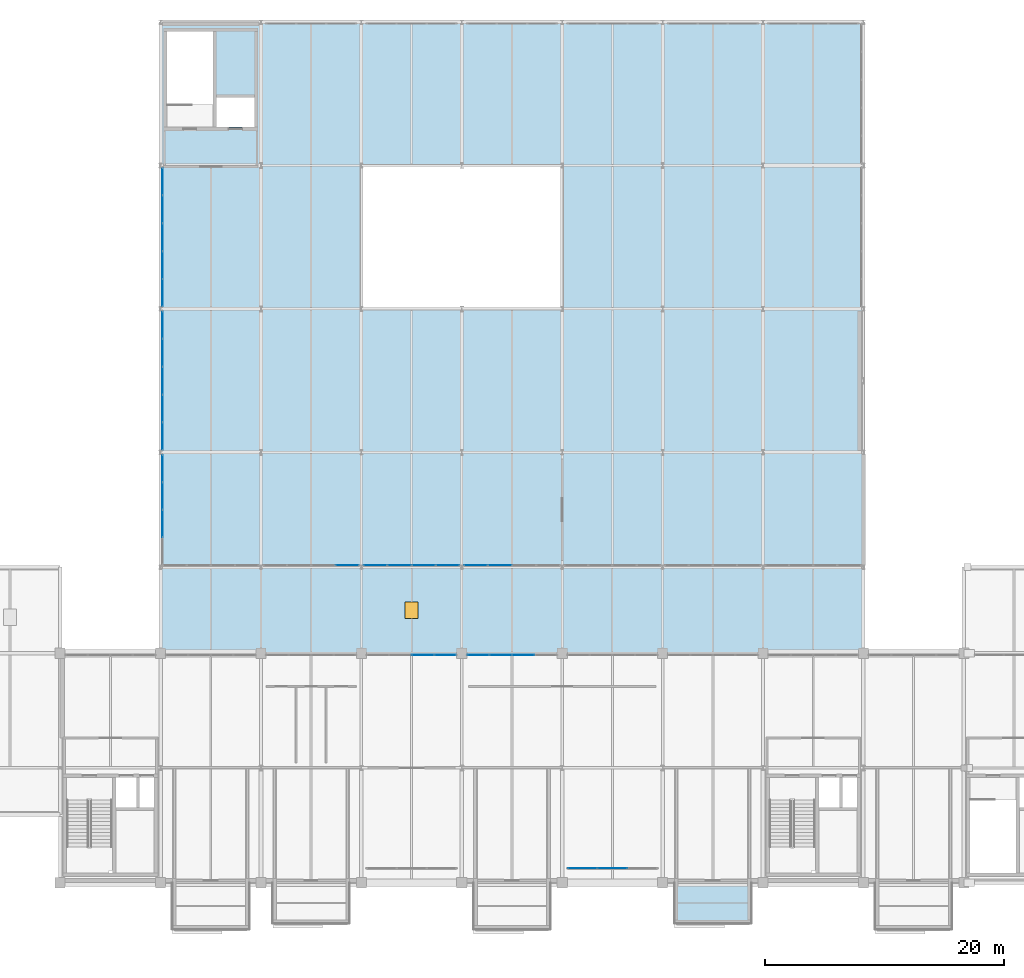
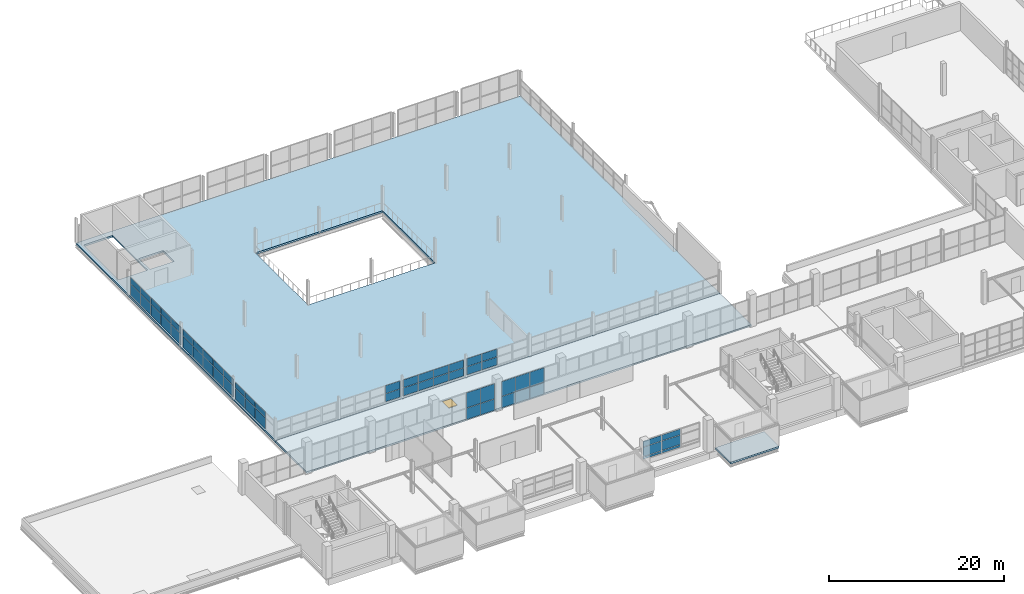
# One storey, part 85 of 103: 56 plates, 3 slabs, 1 door, 1 opening, 9 elements without a shape of their own.
"""IFC4 building model written with IfcOpenShell, lengths in metres."""

from ifc_helpers import new_model, si_unit, direction, frame, origin, origin_2d, place, context, subcontext, project, spatial, polyline, rectangle, outline, extrude, material, layer, layer_set, type_object, element, fill, aggregate, save


model = new_model("IFC4")

# Units and contexts
model_context = context("Model", 3, precision=1e-05, world=origin(), true_north=direction((0.0, 1.0)))
body_context = subcontext(model_context, "Body", "Model", "MODEL_VIEW")
ifc_project = project(units=[si_unit("LENGTHUNIT", "METRE"), si_unit("AREAUNIT", "SQUARE_METRE"), si_unit("VOLUMEUNIT", "CUBIC_METRE"), si_unit("PLANEANGLEUNIT", "RADIAN"), si_unit("MASSUNIT", "GRAM", prefix="KILO")], contexts=[model_context])

# Site, building, storey
site_placement = place(None, origin())
site = spatial("IfcSite", under=ifc_project, at=site_placement, CompositionType="ELEMENT")
building_placement = place(site_placement, origin())
building = spatial("IfcBuilding", under=site, at=building_placement, Name="Veltarok Museum of Natural Sciences", CompositionType="ELEMENT")
storey_placement = place(building_placement, frame((0.0, 0.0, 21.89990234375)))
storey = spatial("IfcBuildingStorey", under=building, at=storey_placement, Name="L04", CompositionType="ELEMENT", Elevation=21.89990234375)

# Slab, opening, door
ifc_material_1 = material(Name="Concrete C35/45", Category="concrete")
ifc_layer_1 = layer(ifc_material_1, 0.239990234375)
ifc_layer_set_1 = layer_set([ifc_layer_1], Name="Concrete C35/45")
slab_type_1 = type_object("IfcSlabType", Name="Insulated Flat Wing Roof Slab 240", PredefinedType="ROOF", material=ifc_layer_set_1)
slab_1_placement = place(storey_placement, frame((0.0, 0.0, -0.239990234375)))
slab_1 = element("IfcSlab", 1, at=slab_1_placement, inside=storey, type_object=slab_type_1, Name="Flat Wing Roof Slab RF-V2S", PredefinedType="ROOF", context=body_context, shape_type="SweptSolid", body=[
    extrude(outline(polyline([(40.0, 19.199951171875), (40.0, 26.3798828125), (98.800048828125, 26.3798828125), (98.800048828125, 19.199951171875), (40.0, 19.199951171875)])), origin(), (0.0, 0.0, 1.0), 0.239990234375),
])
opening_placement = place(slab_1_placement, frame((61.0, 22.800048828125, -0.010009765625)))
opening = element("IfcOpeningElement", 2, at=opening_placement, cuts=slab_1, Name="Opening HT-03", PredefinedType="OPENING", context=body_context, shape_type="SweptSolid", body=[
    extrude(rectangle(XDim=1.10009765625, YDim=1.39990234375, at=origin_2d()), origin(), (0.0, 0.0, 1.0), 0.320068359375),
])
ifc_material_2 = material(Name="Insulated aluminium curb hatch", Category="aluminium")
door_type = type_object("IfcDoorType", Name="Insulated Roof Maintenance Access Hatch 1100x1400", OperationType="SINGLE_SWING_LEFT", PredefinedType="TRAPDOOR", material=ifc_material_2)
door_placement = place(slab_1_placement, frame((61.0, 22.800048828125, 0.239990234375)))
door = element("IfcDoor", 3, at=door_placement, inside=storey, type_object=door_type, Name="Roof Maintenance Access Hatch HT-03", OperationType="SINGLE_SWING_LEFT", OverallHeight=1.39990234375, OverallWidth=1.10009765625, PredefinedType="TRAPDOOR", context=body_context, shape_type="SweptSolid", body=[
    extrude(rectangle(XDim=1.10009765625, YDim=1.39990234375, at=origin_2d()), origin(), (0.0, 0.0, 1.0), 0.06005859375),
])
fill(opening, door)

# Slabs
ifc_layer_2 = layer(ifc_material_1, 0.25)
ifc_layer_set_2 = layer_set([ifc_layer_2], Name="Concrete C35/45")
slab_type_2 = type_object("IfcSlabType", Name="Suspended Museum Floor Slab 250", PredefinedType="FLOOR", material=ifc_layer_set_2)
slab_2_placement = place(storey_placement, frame((0.0, 0.0, -0.25)))
element("IfcSlab", 4, at=slab_2_placement, inside=storey, type_object=slab_type_2, Name="Floor Slab L04 V2", PredefinedType="FLOOR", context=body_context, shape_type="SweptSolid", body=[
    extrude(outline(polyline([(40.0, 26.39990234375), (40.0, 72.0), (98.800048828125, 72.0), (98.800048828125, 26.39990234375), (40.0, 26.39990234375)]), holes=[polyline([(73.60009765625, 60.0), (56.800048828125, 60.0), (56.800048828125, 48.0), (73.60009765625, 48.0), (73.60009765625, 60.0)]), polyline([(47.8701171875, 65.699951171875), (44.669921875, 65.699951171875), (44.669921875, 63.199951171875), (47.8701171875, 63.199951171875), (47.8701171875, 65.699951171875)]), polyline([(44.3701171875, 71.199951171875), (40.530029296875, 71.199951171875), (40.530029296875, 63.199951171875), (44.3701171875, 63.199951171875), (44.3701171875, 71.199951171875)])]), origin(), (0.0, 0.0, 1.0), 0.25),
])
slab_3_placement = place(storey_placement, frame((0.0, 0.0, -0.25)))
element("IfcSlab", 5, at=slab_3_placement, inside=storey, type_object=slab_type_2, Name="Cabinet Box Floor Slab DB-22", PredefinedType="FLOOR", context=body_context, shape_type="SweptSolid", body=[
    extrude(outline(polyline([(83.0, -3.39990234375), (89.39990234375, -3.39990234375), (89.39990234375, 0.0), (83.0, 0.0), (83.0, -3.39990234375)])), origin(), (0.0, 0.0, 1.0), 0.25),
])

# Curtain wall, plates
ifc_material_3 = material(Name="Low-iron triple insulated glass", Category="glass")
curtain_wall_type_1 = type_object("IfcCurtainWallType", Name="Curtain Wall System CW-CAB-L04-B-755x266 (V1 Recessed L04 755x266cm)", PredefinedType="NOTDEFINED", material=ifc_material_3)
curtain_wall_1_placement = place(storey_placement, origin())
curtain_wall_1 = element("IfcCurtainWall", 6, at=curtain_wall_1_placement, inside=storey, type_object=curtain_wall_type_1, Name="Curtain Wall CW-CAB-L04-B-755x266 CW-0008", PredefinedType="NOTDEFINED")
ifc_layer_3 = layer(ifc_material_3, 0.028076171875)
ifc_layer_set_3 = layer_set([ifc_layer_3], Name="Low-iron triple insulated glass")
plate_type = type_object("IfcPlateType", Name="Triple Low-Iron Glazed Vision Panel 28", PredefinedType="CURTAIN_PANEL", material=ifc_layer_set_3)
plate_1_placement = place(storey_placement, frame((75.29833984375, 1.199951171875, 0.739990234375), z_axis=(0.0, 0.0, 1.0), x_axis=(1.0, 0.0, 0.0)))
plate_1 = element("IfcPlate", 7, at=plate_1_placement, type_object=plate_type, Name="CW-CAB-L04-B-755x266 panel 1.1", PredefinedType="CURTAIN_PANEL", context=body_context, shape_type="SweptSolid", body=[
    extrude(rectangle(XDim=2.4267578125, YDim=0.028076171875, at=origin_2d()), origin(), (0.0, 0.0, 1.0), 0.330078125),
])
plate_2_placement = place(storey_placement, frame((75.29833984375, 1.199951171875, 1.130126953125), z_axis=(0.0, 0.0, 1.0), x_axis=(1.0, 0.0, 0.0)))
plate_2 = element("IfcPlate", 8, at=plate_2_placement, type_object=plate_type, Name="CW-CAB-L04-B-755x266 panel 1.2", PredefinedType="CURTAIN_PANEL", context=body_context, shape_type="SweptSolid", body=[
    extrude(rectangle(XDim=2.4267578125, YDim=0.028076171875, at=origin_2d()), origin(), (0.0, 0.0, 1.0), 1.2900390625),
])
plate_3_placement = place(storey_placement, frame((75.29833984375, 1.199951171875, 2.480224609375), z_axis=(0.0, 0.0, 1.0), x_axis=(1.0, 0.0, 0.0)))
plate_3 = element("IfcPlate", 9, at=plate_3_placement, type_object=plate_type, Name="CW-CAB-L04-B-755x266 panel 1.3", PredefinedType="CURTAIN_PANEL", context=body_context, shape_type="SweptSolid", body=[
    extrude(rectangle(XDim=2.4267578125, YDim=0.028076171875, at=origin_2d()), origin(), (0.0, 0.0, 1.0), 0.794921875),
])
plate_4_placement = place(storey_placement, frame((77.800048828125, 1.199951171875, 0.739990234375), z_axis=(0.0, 0.0, 1.0), x_axis=(1.0, 0.0, 0.0)))
plate_4 = element("IfcPlate", 10, at=plate_4_placement, type_object=plate_type, Name="CW-CAB-L04-B-755x266 panel 2.1", PredefinedType="CURTAIN_PANEL", context=body_context, shape_type="SweptSolid", body=[
    extrude(rectangle(XDim=2.456787109375, YDim=0.028076171875, at=origin_2d()), origin(), (0.0, 0.0, 1.0), 0.330078125),
])
plate_5_placement = place(storey_placement, frame((77.800048828125, 1.199951171875, 1.130126953125), z_axis=(0.0, 0.0, 1.0), x_axis=(1.0, 0.0, 0.0)))
plate_5 = element("IfcPlate", 11, at=plate_5_placement, type_object=plate_type, Name="CW-CAB-L04-B-755x266 panel 2.2", PredefinedType="CURTAIN_PANEL", context=body_context, shape_type="SweptSolid", body=[
    extrude(rectangle(XDim=2.456787109375, YDim=0.028076171875, at=origin_2d()), origin(), (0.0, 0.0, 1.0), 1.2900390625),
])
plate_6_placement = place(storey_placement, frame((77.800048828125, 1.199951171875, 2.480224609375), z_axis=(0.0, 0.0, 1.0), x_axis=(1.0, 0.0, 0.0)))
plate_6 = element("IfcPlate", 12, at=plate_6_placement, type_object=plate_type, Name="CW-CAB-L04-B-755x266 panel 2.3", PredefinedType="CURTAIN_PANEL", context=body_context, shape_type="SweptSolid", body=[
    extrude(rectangle(XDim=2.456787109375, YDim=0.028076171875, at=origin_2d()), origin(), (0.0, 0.0, 1.0), 0.794921875),
])
aggregate(curtain_wall_1, [plate_1, plate_2, plate_3, plate_4, plate_5, plate_6])

curtain_wall_type_2 = type_object("IfcCurtainWallType", Name="Curtain Wall System CW-V2W-L04-3-926x249 (CW-V2W L04 926x249cm)", PredefinedType="NOTDEFINED", material=ifc_material_3)
curtain_wall_2_placement = place(storey_placement, origin())
curtain_wall_2 = element("IfcCurtainWall", 13, at=curtain_wall_2_placement, inside=storey, type_object=curtain_wall_type_2, Name="Curtain Wall CW-V2W-L04-3-926x249 CW-0147", PredefinedType="NOTDEFINED")
plate_7_placement = place(storey_placement, frame((40.14990234375, 30.04248046875, 0.05810546875), z_axis=(0.0, 0.0, 1.0), x_axis=(0.0, 1.0, 0.0)))
plate_7 = element("IfcPlate", 14, at=plate_7_placement, type_object=plate_type, Name="CW-V2W-L04-3-926x249 panel 2.1", PredefinedType="CURTAIN_PANEL", context=body_context, shape_type="SweptSolid", body=[
    extrude(rectangle(XDim=2.2548828125, YDim=0.028076171875, at=origin_2d()), origin(), (0.0, 0.0, 1.0), 1.56005859375),
])
plate_8_placement = place(storey_placement, frame((40.14990234375, 30.04248046875, 1.67822265625), z_axis=(0.0, 0.0, 1.0), x_axis=(0.0, 1.0, 0.0)))
plate_8 = element("IfcPlate", 15, at=plate_8_placement, type_object=plate_type, Name="CW-V2W-L04-3-926x249 panel 2.2", PredefinedType="CURTAIN_PANEL", context=body_context, shape_type="SweptSolid", body=[
    extrude(rectangle(XDim=2.2548828125, YDim=0.028076171875, at=origin_2d()), origin(), (0.0, 0.0, 1.0), 0.751953125),
])
plate_9_placement = place(storey_placement, frame((40.14990234375, 32.357421875, 0.05810546875), z_axis=(0.0, 0.0, 1.0), x_axis=(0.0, 1.0, 0.0)))
plate_9 = element("IfcPlate", 16, at=plate_9_placement, type_object=plate_type, Name="CW-V2W-L04-3-926x249 panel 3.1", PredefinedType="CURTAIN_PANEL", context=body_context, shape_type="SweptSolid", body=[
    extrude(rectangle(XDim=2.2548828125, YDim=0.028076171875, at=origin_2d()), origin(), (0.0, 0.0, 1.0), 1.56005859375),
])
plate_10_placement = place(storey_placement, frame((40.14990234375, 32.357421875, 1.67822265625), z_axis=(0.0, 0.0, 1.0), x_axis=(0.0, 1.0, 0.0)))
plate_10 = element("IfcPlate", 17, at=plate_10_placement, type_object=plate_type, Name="CW-V2W-L04-3-926x249 panel 3.2", PredefinedType="CURTAIN_PANEL", context=body_context, shape_type="SweptSolid", body=[
    extrude(rectangle(XDim=2.2548828125, YDim=0.028076171875, at=origin_2d()), origin(), (0.0, 0.0, 1.0), 0.751953125),
])
plate_11_placement = place(storey_placement, frame((40.14990234375, 34.657470703125, 0.05810546875), z_axis=(0.0, 0.0, 1.0), x_axis=(0.0, 1.0, 0.0)))
plate_11 = element("IfcPlate", 18, at=plate_11_placement, type_object=plate_type, Name="CW-V2W-L04-3-926x249 panel 4.1", PredefinedType="CURTAIN_PANEL", context=body_context, shape_type="SweptSolid", body=[
    extrude(rectangle(XDim=2.22509765625, YDim=0.028076171875, at=origin_2d()), origin(), (0.0, 0.0, 1.0), 1.56005859375),
])
plate_12_placement = place(storey_placement, frame((40.14990234375, 34.657470703125, 1.67822265625), z_axis=(0.0, 0.0, 1.0), x_axis=(0.0, 1.0, 0.0)))
plate_12 = element("IfcPlate", 19, at=plate_12_placement, type_object=plate_type, Name="CW-V2W-L04-3-926x249 panel 4.2", PredefinedType="CURTAIN_PANEL", context=body_context, shape_type="SweptSolid", body=[
    extrude(rectangle(XDim=2.22509765625, YDim=0.028076171875, at=origin_2d()), origin(), (0.0, 0.0, 1.0), 0.751953125),
])
aggregate(curtain_wall_2, [plate_7, plate_8, plate_9, plate_10, plate_11, plate_12])

curtain_wall_type_3 = type_object("IfcCurtainWallType", Name="Curtain Wall System CW-V2W-L04-0-1166x264 (CW-V2W L04 1166x264cm)", PredefinedType="NOTDEFINED", material=ifc_material_3)
curtain_wall_3_placement = place(storey_placement, origin())
curtain_wall_3 = element("IfcCurtainWall", 20, at=curtain_wall_3_placement, inside=storey, type_object=curtain_wall_type_3, Name="Curtain Wall CW-V2W-L04-0-1166x264 CW-0148", PredefinedType="NOTDEFINED")
plate_13_placement = place(storey_placement, frame((40.14990234375, 37.35107421875, 0.05810546875), z_axis=(0.0, 0.0, 1.0), x_axis=(0.0, 1.0, 0.0)))
plate_13 = element("IfcPlate", 21, at=plate_13_placement, type_object=plate_type, Name="CW-V2W-L04-0-1166x264 panel 1.1", PredefinedType="CURTAIN_PANEL", context=body_context, shape_type="SweptSolid", body=[
    extrude(rectangle(XDim=2.241943359375, YDim=0.028076171875, at=origin_2d()), origin(), (0.0, 0.0, 1.0), 1.56005859375),
])
plate_14_placement = place(storey_placement, frame((40.14990234375, 37.35107421875, 1.67822265625), z_axis=(0.0, 0.0, 1.0), x_axis=(0.0, 1.0, 0.0)))
plate_14 = element("IfcPlate", 22, at=plate_14_placement, type_object=plate_type, Name="CW-V2W-L04-0-1166x264 panel 1.2", PredefinedType="CURTAIN_PANEL", context=body_context, shape_type="SweptSolid", body=[
    extrude(rectangle(XDim=2.241943359375, YDim=0.028076171875, at=origin_2d()), origin(), (0.0, 0.0, 1.0), 0.902099609375),
])
plate_15_placement = place(storey_placement, frame((40.14990234375, 39.66796875, 0.05810546875), z_axis=(0.0, 0.0, 1.0), x_axis=(0.0, 1.0, 0.0)))
plate_15 = element("IfcPlate", 23, at=plate_15_placement, type_object=plate_type, Name="CW-V2W-L04-0-1166x264 panel 2.1", PredefinedType="CURTAIN_PANEL", context=body_context, shape_type="SweptSolid", body=[
    extrude(rectangle(XDim=2.27197265625, YDim=0.028076171875, at=origin_2d()), origin(), (0.0, 0.0, 1.0), 1.56005859375),
])
plate_16_placement = place(storey_placement, frame((40.14990234375, 39.66796875, 1.67822265625), z_axis=(0.0, 0.0, 1.0), x_axis=(0.0, 1.0, 0.0)))
plate_16 = element("IfcPlate", 24, at=plate_16_placement, type_object=plate_type, Name="CW-V2W-L04-0-1166x264 panel 2.2", PredefinedType="CURTAIN_PANEL", context=body_context, shape_type="SweptSolid", body=[
    extrude(rectangle(XDim=2.27197265625, YDim=0.028076171875, at=origin_2d()), origin(), (0.0, 0.0, 1.0), 0.902099609375),
])
plate_17_placement = place(storey_placement, frame((40.14990234375, 42.0, 0.05810546875), z_axis=(0.0, 0.0, 1.0), x_axis=(0.0, 1.0, 0.0)))
plate_17 = element("IfcPlate", 25, at=plate_17_placement, type_object=plate_type, Name="CW-V2W-L04-0-1166x264 panel 3.1", PredefinedType="CURTAIN_PANEL", context=body_context, shape_type="SweptSolid", body=[
    extrude(rectangle(XDim=2.27197265625, YDim=0.028076171875, at=origin_2d()), origin(), (0.0, 0.0, 1.0), 1.56005859375),
])
plate_18_placement = place(storey_placement, frame((40.14990234375, 42.0, 1.67822265625), z_axis=(0.0, 0.0, 1.0), x_axis=(0.0, 1.0, 0.0)))
plate_18 = element("IfcPlate", 26, at=plate_18_placement, type_object=plate_type, Name="CW-V2W-L04-0-1166x264 panel 3.2", PredefinedType="CURTAIN_PANEL", context=body_context, shape_type="SweptSolid", body=[
    extrude(rectangle(XDim=2.27197265625, YDim=0.028076171875, at=origin_2d()), origin(), (0.0, 0.0, 1.0), 0.902099609375),
])
plate_19_placement = place(storey_placement, frame((40.14990234375, 44.33203125, 0.05810546875), z_axis=(0.0, 0.0, 1.0), x_axis=(0.0, 1.0, 0.0)))
plate_19 = element("IfcPlate", 27, at=plate_19_placement, type_object=plate_type, Name="CW-V2W-L04-0-1166x264 panel 4.1", PredefinedType="CURTAIN_PANEL", context=body_context, shape_type="SweptSolid", body=[
    extrude(rectangle(XDim=2.27197265625, YDim=0.028076171875, at=origin_2d()), origin(), (0.0, 0.0, 1.0), 1.56005859375),
])
plate_20_placement = place(storey_placement, frame((40.14990234375, 44.33203125, 1.67822265625), z_axis=(0.0, 0.0, 1.0), x_axis=(0.0, 1.0, 0.0)))
plate_20 = element("IfcPlate", 28, at=plate_20_placement, type_object=plate_type, Name="CW-V2W-L04-0-1166x264 panel 4.2", PredefinedType="CURTAIN_PANEL", context=body_context, shape_type="SweptSolid", body=[
    extrude(rectangle(XDim=2.27197265625, YDim=0.028076171875, at=origin_2d()), origin(), (0.0, 0.0, 1.0), 0.902099609375),
])
plate_21_placement = place(storey_placement, frame((40.14990234375, 46.64892578125, 0.05810546875), z_axis=(0.0, 0.0, 1.0), x_axis=(0.0, 1.0, 0.0)))
plate_21 = element("IfcPlate", 29, at=plate_21_placement, type_object=plate_type, Name="CW-V2W-L04-0-1166x264 panel 5.1", PredefinedType="CURTAIN_PANEL", context=body_context, shape_type="SweptSolid", body=[
    extrude(rectangle(XDim=2.241943359375, YDim=0.028076171875, at=origin_2d()), origin(), (0.0, 0.0, 1.0), 1.56005859375),
])
plate_22_placement = place(storey_placement, frame((40.14990234375, 46.64892578125, 1.67822265625), z_axis=(0.0, 0.0, 1.0), x_axis=(0.0, 1.0, 0.0)))
plate_22 = element("IfcPlate", 30, at=plate_22_placement, type_object=plate_type, Name="CW-V2W-L04-0-1166x264 panel 5.2", PredefinedType="CURTAIN_PANEL", context=body_context, shape_type="SweptSolid", body=[
    extrude(rectangle(XDim=2.241943359375, YDim=0.028076171875, at=origin_2d()), origin(), (0.0, 0.0, 1.0), 0.902099609375),
])
aggregate(curtain_wall_3, [plate_13, plate_14, plate_15, plate_16, plate_17, plate_18, plate_19, plate_20, plate_21, plate_22])

curtain_wall_type_4 = type_object("IfcCurtainWallType", Name="Curtain Wall System CW-V2W-L04-1-1166x259 (CW-V2W L04 1166x259cm)", PredefinedType="NOTDEFINED", material=ifc_material_3)
curtain_wall_4_placement = place(storey_placement, origin())
curtain_wall_4 = element("IfcCurtainWall", 31, at=curtain_wall_4_placement, inside=storey, type_object=curtain_wall_type_4, Name="Curtain Wall CW-V2W-L04-1-1166x259 CW-0149", PredefinedType="NOTDEFINED")
plate_23_placement = place(storey_placement, frame((40.14990234375, 49.35107421875, 0.05810546875), z_axis=(0.0, 0.0, 1.0), x_axis=(0.0, 1.0, 0.0)))
plate_23 = element("IfcPlate", 32, at=plate_23_placement, type_object=plate_type, Name="CW-V2W-L04-1-1166x259 panel 1.1", PredefinedType="CURTAIN_PANEL", context=body_context, shape_type="SweptSolid", body=[
    extrude(rectangle(XDim=2.241943359375, YDim=0.028076171875, at=origin_2d()), origin(), (0.0, 0.0, 1.0), 1.56005859375),
])
plate_24_placement = place(storey_placement, frame((40.14990234375, 49.35107421875, 1.677978515625), z_axis=(0.0, 0.0, 1.0), x_axis=(0.0, 1.0, 0.0)))
plate_24 = element("IfcPlate", 33, at=plate_24_placement, type_object=plate_type, Name="CW-V2W-L04-1-1166x259 panel 1.2", PredefinedType="CURTAIN_PANEL", context=body_context, shape_type="SweptSolid", body=[
    extrude(rectangle(XDim=2.241943359375, YDim=0.028076171875, at=origin_2d()), origin(), (0.0, 0.0, 1.0), 0.85205078125),
])
plate_25_placement = place(storey_placement, frame((40.14990234375, 51.66796875, 0.05810546875), z_axis=(0.0, 0.0, 1.0), x_axis=(0.0, 1.0, 0.0)))
plate_25 = element("IfcPlate", 34, at=plate_25_placement, type_object=plate_type, Name="CW-V2W-L04-1-1166x259 panel 2.1", PredefinedType="CURTAIN_PANEL", context=body_context, shape_type="SweptSolid", body=[
    extrude(rectangle(XDim=2.27197265625, YDim=0.028076171875, at=origin_2d()), origin(), (0.0, 0.0, 1.0), 1.56005859375),
])
plate_26_placement = place(storey_placement, frame((40.14990234375, 51.66796875, 1.677978515625), z_axis=(0.0, 0.0, 1.0), x_axis=(0.0, 1.0, 0.0)))
plate_26 = element("IfcPlate", 35, at=plate_26_placement, type_object=plate_type, Name="CW-V2W-L04-1-1166x259 panel 2.2", PredefinedType="CURTAIN_PANEL", context=body_context, shape_type="SweptSolid", body=[
    extrude(rectangle(XDim=2.27197265625, YDim=0.028076171875, at=origin_2d()), origin(), (0.0, 0.0, 1.0), 0.85205078125),
])
plate_27_placement = place(storey_placement, frame((40.14990234375, 54.0, 0.05810546875), z_axis=(0.0, 0.0, 1.0), x_axis=(0.0, 1.0, 0.0)))
plate_27 = element("IfcPlate", 36, at=plate_27_placement, type_object=plate_type, Name="CW-V2W-L04-1-1166x259 panel 3.1", PredefinedType="CURTAIN_PANEL", context=body_context, shape_type="SweptSolid", body=[
    extrude(rectangle(XDim=2.27197265625, YDim=0.028076171875, at=origin_2d()), origin(), (0.0, 0.0, 1.0), 1.56005859375),
])
plate_28_placement = place(storey_placement, frame((40.14990234375, 54.0, 1.677978515625), z_axis=(0.0, 0.0, 1.0), x_axis=(0.0, 1.0, 0.0)))
plate_28 = element("IfcPlate", 37, at=plate_28_placement, type_object=plate_type, Name="CW-V2W-L04-1-1166x259 panel 3.2", PredefinedType="CURTAIN_PANEL", context=body_context, shape_type="SweptSolid", body=[
    extrude(rectangle(XDim=2.27197265625, YDim=0.028076171875, at=origin_2d()), origin(), (0.0, 0.0, 1.0), 0.85205078125),
])
plate_29_placement = place(storey_placement, frame((40.14990234375, 56.33203125, 0.05810546875), z_axis=(0.0, 0.0, 1.0), x_axis=(0.0, 1.0, 0.0)))
plate_29 = element("IfcPlate", 38, at=plate_29_placement, type_object=plate_type, Name="CW-V2W-L04-1-1166x259 panel 4.1", PredefinedType="CURTAIN_PANEL", context=body_context, shape_type="SweptSolid", body=[
    extrude(rectangle(XDim=2.27197265625, YDim=0.028076171875, at=origin_2d()), origin(), (0.0, 0.0, 1.0), 1.56005859375),
])
plate_30_placement = place(storey_placement, frame((40.14990234375, 56.33203125, 1.677978515625), z_axis=(0.0, 0.0, 1.0), x_axis=(0.0, 1.0, 0.0)))
plate_30 = element("IfcPlate", 39, at=plate_30_placement, type_object=plate_type, Name="CW-V2W-L04-1-1166x259 panel 4.2", PredefinedType="CURTAIN_PANEL", context=body_context, shape_type="SweptSolid", body=[
    extrude(rectangle(XDim=2.27197265625, YDim=0.028076171875, at=origin_2d()), origin(), (0.0, 0.0, 1.0), 0.85205078125),
])
plate_31_placement = place(storey_placement, frame((40.14990234375, 58.64892578125, 0.05810546875), z_axis=(0.0, 0.0, 1.0), x_axis=(0.0, 1.0, 0.0)))
plate_31 = element("IfcPlate", 40, at=plate_31_placement, type_object=plate_type, Name="CW-V2W-L04-1-1166x259 panel 5.1", PredefinedType="CURTAIN_PANEL", context=body_context, shape_type="SweptSolid", body=[
    extrude(rectangle(XDim=2.241943359375, YDim=0.028076171875, at=origin_2d()), origin(), (0.0, 0.0, 1.0), 1.56005859375),
])
plate_32_placement = place(storey_placement, frame((40.14990234375, 58.64892578125, 1.677978515625), z_axis=(0.0, 0.0, 1.0), x_axis=(0.0, 1.0, 0.0)))
plate_32 = element("IfcPlate", 41, at=plate_32_placement, type_object=plate_type, Name="CW-V2W-L04-1-1166x259 panel 5.2", PredefinedType="CURTAIN_PANEL", context=body_context, shape_type="SweptSolid", body=[
    extrude(rectangle(XDim=2.241943359375, YDim=0.028076171875, at=origin_2d()), origin(), (0.0, 0.0, 1.0), 0.85205078125),
])
aggregate(curtain_wall_4, [plate_23, plate_24, plate_25, plate_26, plate_27, plate_28, plate_29, plate_30, plate_31, plate_32])

curtain_wall_type_5 = type_object("IfcCurtainWallType", Name="Curtain Wall System CW-V1CN4-L04-1-755x383 (CW-V1CN4 L04 755x383cm)", PredefinedType="NOTDEFINED", material=ifc_material_3)
curtain_wall_5_placement = place(storey_placement, origin())
curtain_wall_5 = element("IfcCurtainWall", 42, at=curtain_wall_5_placement, inside=storey, type_object=curtain_wall_type_5, Name="Curtain Wall CW-V1CN4-L04-1-755x383 CW-0165", PredefinedType="NOTDEFINED")
plate_33_placement = place(storey_placement, frame((63.816162109375, 19.050048828125, 0.05810546875), z_axis=(0.0, 0.0, 1.0), x_axis=(-1.0, 0.0, 0.0)))
plate_33 = element("IfcPlate", 43, at=plate_33_placement, type_object=plate_type, Name="CW-V1CN4-L04-1-755x383 panel 1.1", PredefinedType="CURTAIN_PANEL", context=body_context, shape_type="SweptSolid", body=[
    extrude(rectangle(XDim=1.797607421875, YDim=0.028076171875, at=origin_2d()), origin(), (0.0, 0.0, 1.0), 1.56005859375),
])
plate_34_placement = place(storey_placement, frame((63.816162109375, 19.050048828125, 1.67822265625), z_axis=(0.0, 0.0, 1.0), x_axis=(-1.0, 0.0, 0.0)))
plate_34 = element("IfcPlate", 44, at=plate_34_placement, type_object=plate_type, Name="CW-V1CN4-L04-1-755x383 panel 1.2", PredefinedType="CURTAIN_PANEL", context=body_context, shape_type="SweptSolid", body=[
    extrude(rectangle(XDim=1.797607421875, YDim=0.028076171875, at=origin_2d()), origin(), (0.0, 0.0, 1.0), 2.092041015625),
])
plate_35_placement = place(storey_placement, frame((61.94384765625, 19.050048828125, 0.05810546875), z_axis=(0.0, 0.0, 1.0), x_axis=(-1.0, 0.0, 0.0)))
plate_35 = element("IfcPlate", 45, at=plate_35_placement, type_object=plate_type, Name="CW-V1CN4-L04-1-755x383 panel 2.1", PredefinedType="CURTAIN_PANEL", context=body_context, shape_type="SweptSolid", body=[
    extrude(rectangle(XDim=1.827392578125, YDim=0.028076171875, at=origin_2d()), origin(), (0.0, 0.0, 1.0), 1.56005859375),
])
plate_36_placement = place(storey_placement, frame((61.94384765625, 19.050048828125, 1.67822265625), z_axis=(0.0, 0.0, 1.0), x_axis=(-1.0, 0.0, 0.0)))
plate_36 = element("IfcPlate", 46, at=plate_36_placement, type_object=plate_type, Name="CW-V1CN4-L04-1-755x383 panel 2.2", PredefinedType="CURTAIN_PANEL", context=body_context, shape_type="SweptSolid", body=[
    extrude(rectangle(XDim=1.827392578125, YDim=0.028076171875, at=origin_2d()), origin(), (0.0, 0.0, 1.0), 2.092041015625),
])
aggregate(curtain_wall_5, [plate_33, plate_34, plate_35, plate_36])

curtain_wall_type_6 = type_object("IfcCurtainWallType", Name="Curtain Wall System CW-V1CN4-L04-2-755x378 (CW-V1CN4 L04 755x378cm)", PredefinedType="NOTDEFINED", material=ifc_material_3)
curtain_wall_6_placement = place(storey_placement, origin())
curtain_wall_6 = element("IfcCurtainWall", 47, at=curtain_wall_6_placement, inside=storey, type_object=curtain_wall_type_6, Name="Curtain Wall CW-V1CN4-L04-2-755x378 CW-0166", PredefinedType="NOTDEFINED")
plate_37_placement = place(storey_placement, frame((70.34375, 19.050048828125, 0.05810546875), z_axis=(0.0, 0.0, 1.0), x_axis=(-1.0, 0.0, 0.0)))
plate_37 = element("IfcPlate", 48, at=plate_37_placement, type_object=plate_type, Name="CW-V1CN4-L04-2-755x378 panel 2.1", PredefinedType="CURTAIN_PANEL", context=body_context, shape_type="SweptSolid", body=[
    extrude(rectangle(XDim=1.827392578125, YDim=0.028076171875, at=origin_2d()), origin(), (0.0, 0.0, 1.0), 1.56005859375),
])
plate_38_placement = place(storey_placement, frame((70.34375, 19.050048828125, 1.67822265625), z_axis=(0.0, 0.0, 1.0), x_axis=(-1.0, 0.0, 0.0)))
plate_38 = element("IfcPlate", 49, at=plate_38_placement, type_object=plate_type, Name="CW-V1CN4-L04-2-755x378 panel 2.2", PredefinedType="CURTAIN_PANEL", context=body_context, shape_type="SweptSolid", body=[
    extrude(rectangle(XDim=1.827392578125, YDim=0.028076171875, at=origin_2d()), origin(), (0.0, 0.0, 1.0), 2.0419921875),
])
plate_39_placement = place(storey_placement, frame((68.456298828125, 19.050048828125, 0.05810546875), z_axis=(0.0, 0.0, 1.0), x_axis=(-1.0, 0.0, 0.0)))
plate_39 = element("IfcPlate", 50, at=plate_39_placement, type_object=plate_type, Name="CW-V1CN4-L04-2-755x378 panel 3.1", PredefinedType="CURTAIN_PANEL", context=body_context, shape_type="SweptSolid", body=[
    extrude(rectangle(XDim=1.827392578125, YDim=0.028076171875, at=origin_2d()), origin(), (0.0, 0.0, 1.0), 1.56005859375),
])
plate_40_placement = place(storey_placement, frame((68.456298828125, 19.050048828125, 1.67822265625), z_axis=(0.0, 0.0, 1.0), x_axis=(-1.0, 0.0, 0.0)))
plate_40 = element("IfcPlate", 51, at=plate_40_placement, type_object=plate_type, Name="CW-V1CN4-L04-2-755x378 panel 3.2", PredefinedType="CURTAIN_PANEL", context=body_context, shape_type="SweptSolid", body=[
    extrude(rectangle(XDim=1.827392578125, YDim=0.028076171875, at=origin_2d()), origin(), (0.0, 0.0, 1.0), 2.0419921875),
])
plate_41_placement = place(storey_placement, frame((66.583740234375, 19.050048828125, 0.05810546875), z_axis=(0.0, 0.0, 1.0), x_axis=(-1.0, 0.0, 0.0)))
plate_41 = element("IfcPlate", 52, at=plate_41_placement, type_object=plate_type, Name="CW-V1CN4-L04-2-755x378 panel 4.1", PredefinedType="CURTAIN_PANEL", context=body_context, shape_type="SweptSolid", body=[
    extrude(rectangle(XDim=1.797607421875, YDim=0.028076171875, at=origin_2d()), origin(), (0.0, 0.0, 1.0), 1.56005859375),
])
plate_42_placement = place(storey_placement, frame((66.583740234375, 19.050048828125, 1.67822265625), z_axis=(0.0, 0.0, 1.0), x_axis=(-1.0, 0.0, 0.0)))
plate_42 = element("IfcPlate", 53, at=plate_42_placement, type_object=plate_type, Name="CW-V1CN4-L04-2-755x378 panel 4.2", PredefinedType="CURTAIN_PANEL", context=body_context, shape_type="SweptSolid", body=[
    extrude(rectangle(XDim=1.797607421875, YDim=0.028076171875, at=origin_2d()), origin(), (0.0, 0.0, 1.0), 2.0419921875),
])
aggregate(curtain_wall_6, [plate_37, plate_38, plate_39, plate_40, plate_41, plate_42])

curtain_wall_type_7 = type_object("IfcCurtainWallType", Name="Curtain Wall System CW-V2S-L04-810x236 (V2 South Setback L04 810x236cm)", PredefinedType="NOTDEFINED", material=ifc_material_3)
curtain_wall_7_placement = place(storey_placement, origin())
curtain_wall_7 = element("IfcCurtainWall", 54, at=curtain_wall_7_placement, inside=storey, type_object=curtain_wall_type_7, Name="Curtain Wall CW-V2S-L04-810x236 CW-0224", PredefinedType="NOTDEFINED")
plate_43_placement = place(storey_placement, frame((55.62255859375, 26.550048828125, 0.219970703125), z_axis=(0.0, 0.0, 1.0), x_axis=(1.0, 0.0, 0.0)))
plate_43 = element("IfcPlate", 55, at=plate_43_placement, type_object=plate_type, Name="CW-V2S-L04-810x236 panel 4.1", PredefinedType="CURTAIN_PANEL", context=body_context, shape_type="SweptSolid", body=[
    extrude(rectangle(XDim=1.93505859375, YDim=0.028076171875, at=origin_2d()), origin(), (0.0, 0.0, 1.0), 1.10009765625),
])
plate_44_placement = place(storey_placement, frame((55.62255859375, 26.550048828125, 1.380126953125), z_axis=(0.0, 0.0, 1.0), x_axis=(1.0, 0.0, 0.0)))
plate_44 = element("IfcPlate", 56, at=plate_44_placement, type_object=plate_type, Name="CW-V2S-L04-810x236 panel 4.2", PredefinedType="CURTAIN_PANEL", context=body_context, shape_type="SweptSolid", body=[
    extrude(rectangle(XDim=1.93505859375, YDim=0.028076171875, at=origin_2d()), origin(), (0.0, 0.0, 1.0), 1.080078125),
])
aggregate(curtain_wall_7, [plate_43, plate_44])

curtain_wall_8_placement = place(storey_placement, origin())
curtain_wall_8 = element("IfcCurtainWall", 57, at=curtain_wall_8_placement, inside=storey, type_object=curtain_wall_type_7, Name="Curtain Wall CW-V2S-L04-810x236 CW-0225", PredefinedType="NOTDEFINED")
plate_45_placement = place(storey_placement, frame((57.9775390625, 26.550048828125, 0.219970703125), z_axis=(0.0, 0.0, 1.0), x_axis=(1.0, 0.0, 0.0)))
plate_45 = element("IfcPlate", 58, at=plate_45_placement, type_object=plate_type, Name="CW-V2S-L04-810x236 panel 1.1", PredefinedType="CURTAIN_PANEL", context=body_context, shape_type="SweptSolid", body=[
    extrude(rectangle(XDim=1.93505859375, YDim=0.028076171875, at=origin_2d()), origin(), (0.0, 0.0, 1.0), 1.10009765625),
])
plate_46_placement = place(storey_placement, frame((57.9775390625, 26.550048828125, 1.380126953125), z_axis=(0.0, 0.0, 1.0), x_axis=(1.0, 0.0, 0.0)))
plate_46 = element("IfcPlate", 59, at=plate_46_placement, type_object=plate_type, Name="CW-V2S-L04-810x236 panel 1.2", PredefinedType="CURTAIN_PANEL", context=body_context, shape_type="SweptSolid", body=[
    extrude(rectangle(XDim=1.93505859375, YDim=0.028076171875, at=origin_2d()), origin(), (0.0, 0.0, 1.0), 1.080078125),
])
plate_47_placement = place(storey_placement, frame((59.987548828125, 26.550048828125, 0.219970703125), z_axis=(0.0, 0.0, 1.0), x_axis=(1.0, 0.0, 0.0)))
plate_47 = element("IfcPlate", 60, at=plate_47_placement, type_object=plate_type, Name="CW-V2S-L04-810x236 panel 2.1", PredefinedType="CURTAIN_PANEL", context=body_context, shape_type="SweptSolid", body=[
    extrude(rectangle(XDim=1.965087890625, YDim=0.028076171875, at=origin_2d()), origin(), (0.0, 0.0, 1.0), 1.10009765625),
])
plate_48_placement = place(storey_placement, frame((59.987548828125, 26.550048828125, 1.380126953125), z_axis=(0.0, 0.0, 1.0), x_axis=(1.0, 0.0, 0.0)))
plate_48 = element("IfcPlate", 61, at=plate_48_placement, type_object=plate_type, Name="CW-V2S-L04-810x236 panel 2.2", PredefinedType="CURTAIN_PANEL", context=body_context, shape_type="SweptSolid", body=[
    extrude(rectangle(XDim=1.965087890625, YDim=0.028076171875, at=origin_2d()), origin(), (0.0, 0.0, 1.0), 1.080078125),
])
plate_49_placement = place(storey_placement, frame((62.012451171875, 26.550048828125, 0.219970703125), z_axis=(0.0, 0.0, 1.0), x_axis=(1.0, 0.0, 0.0)))
plate_49 = element("IfcPlate", 62, at=plate_49_placement, type_object=plate_type, Name="CW-V2S-L04-810x236 panel 3.1", PredefinedType="CURTAIN_PANEL", context=body_context, shape_type="SweptSolid", body=[
    extrude(rectangle(XDim=1.965087890625, YDim=0.028076171875, at=origin_2d()), origin(), (0.0, 0.0, 1.0), 1.10009765625),
])
plate_50_placement = place(storey_placement, frame((62.012451171875, 26.550048828125, 1.380126953125), z_axis=(0.0, 0.0, 1.0), x_axis=(1.0, 0.0, 0.0)))
plate_50 = element("IfcPlate", 63, at=plate_50_placement, type_object=plate_type, Name="CW-V2S-L04-810x236 panel 3.2", PredefinedType="CURTAIN_PANEL", context=body_context, shape_type="SweptSolid", body=[
    extrude(rectangle(XDim=1.965087890625, YDim=0.028076171875, at=origin_2d()), origin(), (0.0, 0.0, 1.0), 1.080078125),
])
plate_51_placement = place(storey_placement, frame((64.0224609375, 26.550048828125, 0.219970703125), z_axis=(0.0, 0.0, 1.0), x_axis=(1.0, 0.0, 0.0)))
plate_51 = element("IfcPlate", 64, at=plate_51_placement, type_object=plate_type, Name="CW-V2S-L04-810x236 panel 4.1", PredefinedType="CURTAIN_PANEL", context=body_context, shape_type="SweptSolid", body=[
    extrude(rectangle(XDim=1.93505859375, YDim=0.028076171875, at=origin_2d()), origin(), (0.0, 0.0, 1.0), 1.10009765625),
])
plate_52_placement = place(storey_placement, frame((64.0224609375, 26.550048828125, 1.380126953125), z_axis=(0.0, 0.0, 1.0), x_axis=(1.0, 0.0, 0.0)))
plate_52 = element("IfcPlate", 65, at=plate_52_placement, type_object=plate_type, Name="CW-V2S-L04-810x236 panel 4.2", PredefinedType="CURTAIN_PANEL", context=body_context, shape_type="SweptSolid", body=[
    extrude(rectangle(XDim=1.93505859375, YDim=0.028076171875, at=origin_2d()), origin(), (0.0, 0.0, 1.0), 1.080078125),
])
aggregate(curtain_wall_8, [plate_45, plate_46, plate_47, plate_48, plate_49, plate_50, plate_51, plate_52])

curtain_wall_9_placement = place(storey_placement, origin())
curtain_wall_9 = element("IfcCurtainWall", 66, at=curtain_wall_9_placement, inside=storey, type_object=curtain_wall_type_7, Name="Curtain Wall CW-V2S-L04-810x236 CW-0226", PredefinedType="NOTDEFINED")
plate_53_placement = place(storey_placement, frame((66.37744140625, 26.550048828125, 0.219970703125), z_axis=(0.0, 0.0, 1.0), x_axis=(1.0, 0.0, 0.0)))
plate_53 = element("IfcPlate", 67, at=plate_53_placement, type_object=plate_type, Name="CW-V2S-L04-810x236 panel 1.1", PredefinedType="CURTAIN_PANEL", context=body_context, shape_type="SweptSolid", body=[
    extrude(rectangle(XDim=1.93505859375, YDim=0.028076171875, at=origin_2d()), origin(), (0.0, 0.0, 1.0), 1.10009765625),
])
plate_54_placement = place(storey_placement, frame((66.37744140625, 26.550048828125, 1.380126953125), z_axis=(0.0, 0.0, 1.0), x_axis=(1.0, 0.0, 0.0)))
plate_54 = element("IfcPlate", 68, at=plate_54_placement, type_object=plate_type, Name="CW-V2S-L04-810x236 panel 1.2", PredefinedType="CURTAIN_PANEL", context=body_context, shape_type="SweptSolid", body=[
    extrude(rectangle(XDim=1.93505859375, YDim=0.028076171875, at=origin_2d()), origin(), (0.0, 0.0, 1.0), 1.080078125),
])
plate_55_placement = place(storey_placement, frame((68.387451171875, 26.550048828125, 0.219970703125), z_axis=(0.0, 0.0, 1.0), x_axis=(1.0, 0.0, 0.0)))
plate_55 = element("IfcPlate", 69, at=plate_55_placement, type_object=plate_type, Name="CW-V2S-L04-810x236 panel 2.1", PredefinedType="CURTAIN_PANEL", context=body_context, shape_type="SweptSolid", body=[
    extrude(rectangle(XDim=1.965087890625, YDim=0.028076171875, at=origin_2d()), origin(), (0.0, 0.0, 1.0), 1.10009765625),
])
plate_56_placement = place(storey_placement, frame((68.387451171875, 26.550048828125, 1.380126953125), z_axis=(0.0, 0.0, 1.0), x_axis=(1.0, 0.0, 0.0)))
plate_56 = element("IfcPlate", 70, at=plate_56_placement, type_object=plate_type, Name="CW-V2S-L04-810x236 panel 2.2", PredefinedType="CURTAIN_PANEL", context=body_context, shape_type="SweptSolid", body=[
    extrude(rectangle(XDim=1.965087890625, YDim=0.028076171875, at=origin_2d()), origin(), (0.0, 0.0, 1.0), 1.080078125),
])
aggregate(curtain_wall_9, [plate_53, plate_54, plate_55, plate_56])

save(model, "model.ifc")
